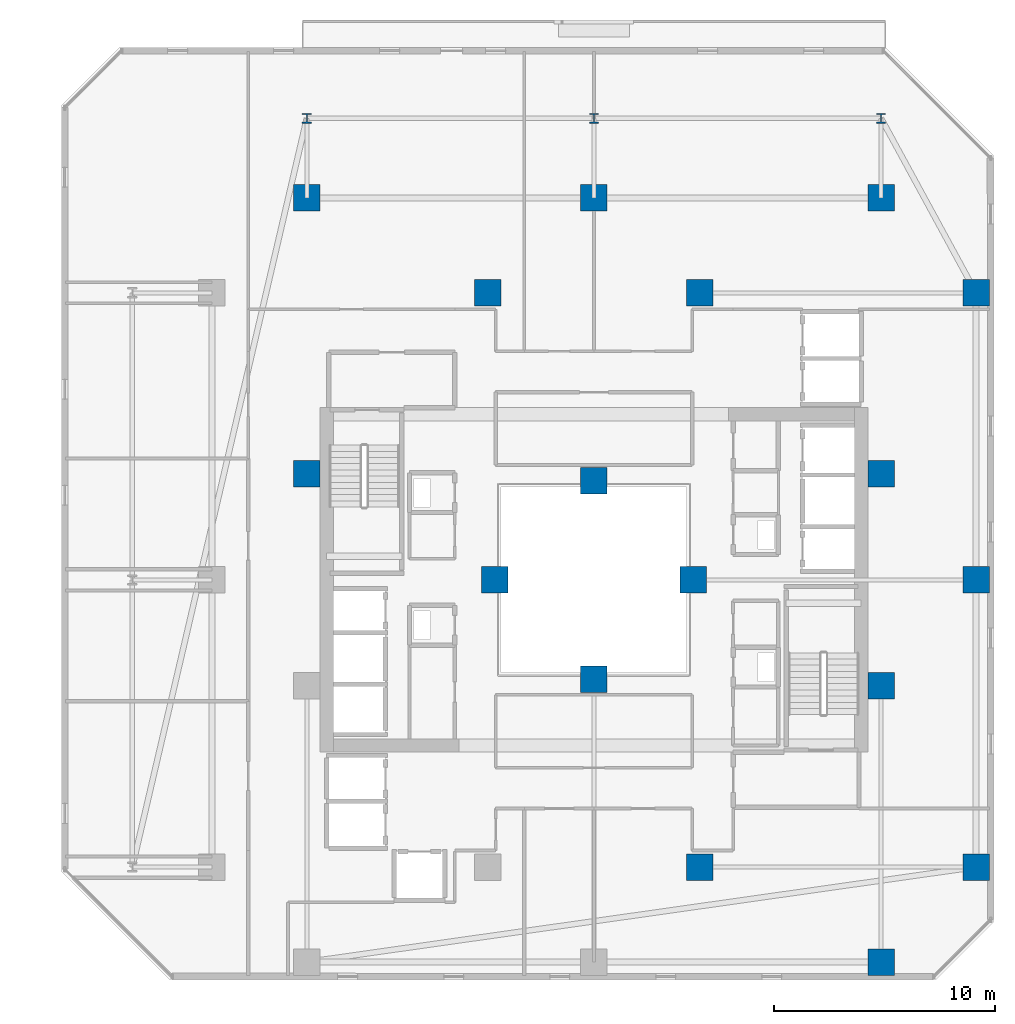
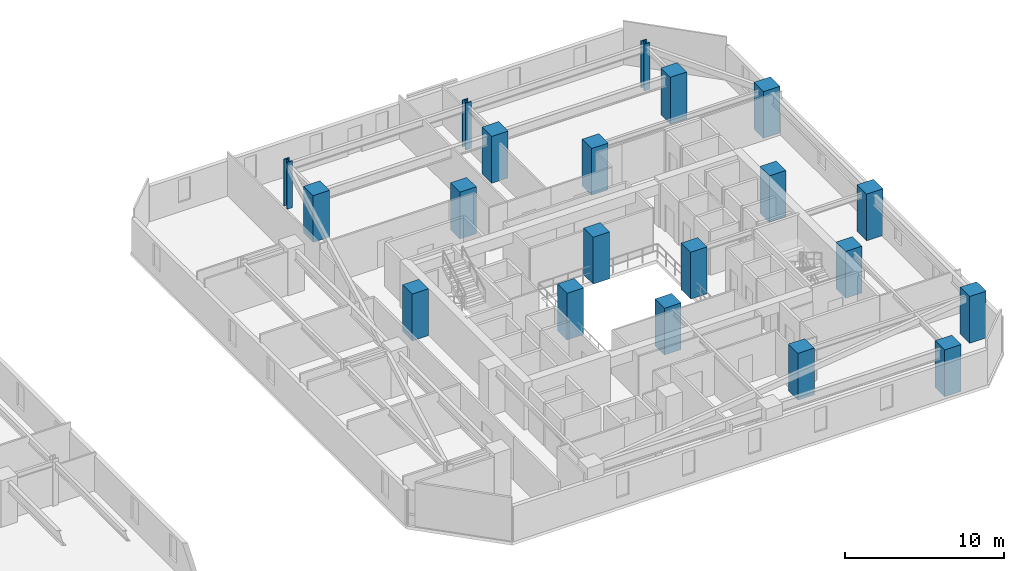
# One storey, part 2 of 31: 20 columns.
"""IFC4 building model written with IfcOpenShell, lengths in metres."""

from ifc_helpers import new_model, si_unit, direction, frame, origin, origin_2d, place, context, subcontext, project, spatial, rectangle, i_section, extrude, material, material_profile, profile_set, type_object, element, save


model = new_model("IFC4")

# Units and contexts
model_context = context("Model", 3, precision=1e-05, world=origin(), true_north=direction((0.0, 1.0)))
body_context = subcontext(model_context, "Body", "Model", "MODEL_VIEW")
ifc_project = project(units=[si_unit("LENGTHUNIT", "METRE"), si_unit("AREAUNIT", "SQUARE_METRE"), si_unit("VOLUMEUNIT", "CUBIC_METRE"), si_unit("PLANEANGLEUNIT", "RADIAN"), si_unit("MASSUNIT", "GRAM", prefix="KILO")], contexts=[model_context])

# Site, building, storey
site_placement = place(None, origin())
site = spatial("IfcSite", under=ifc_project, at=site_placement, CompositionType="ELEMENT")
building_placement = place(site_placement, origin())
building = spatial("IfcBuilding", under=site, at=building_placement, Name="Thornwick Lancets Civic Towers", CompositionType="ELEMENT")
storey_placement = place(building_placement, frame((0.0, 0.0, 90.89990234375)))
storey = spatial("IfcBuildingStorey", under=building, at=storey_placement, Name="L23", CompositionType="ELEMENT", Elevation=90.89990234375)

# Columns
ifc_material_1 = material(Name="Concrete C60/75", Category="concrete")
ifc_material_profile_1 = material_profile(ifc_material_1, rectangle(XDim=1.199951171875, YDim=1.199951171875, at=origin_2d()), Name="RC 1200x1200")
ifc_profile_set_1 = profile_set([ifc_material_profile_1], Name="Concrete C60/75")
column_type_1 = type_object("IfcColumnType", Name="COL_RC_1200", PredefinedType="COLUMN", material=ifc_profile_set_1)
for number, where, z_axis, x_axis, name in (
    (1, (105.800048828125, 14.0, 0.0), (0.0, 0.0, 1.0), (1.0, 0.0, 0.0), "L23 Spine Mega-Column B01"),
    (2, (105.800048828125, 27.0, 0.0), (0.0, 0.0, 1.0), (1.0, 0.0, 0.0), "L23 Spine Mega-Column B02"),
    (3, (105.800048828125, 40.0, 0.0), (0.0, 0.0, 1.0), (1.0, 0.0, 0.0), "L23 Spine Mega-Column B03"),
    (4, (101.5, 44.300048828125, 0.0), (0.0, 0.0, 1.0), (1.0, 0.0, 0.0), "L23 Spine Mega-Column B04"),
    (5, (88.5, 44.300048828125, 0.0), (0.0, 0.0, 1.0), (1.0, 0.0, 0.0), "L23 Spine Mega-Column B05"),
    (6, (75.5, 44.300048828125, 0.0), (0.0, 0.0, 1.0), (1.0, 0.0, 0.0), "L23 Spine Mega-Column B06"),
    (7, (101.5, 9.699951171875, 0.0), (0.0, 0.0, 1.0), (1.0, 0.0, 0.0), "L23 Spine Mega-Column B10"),
    (8, (93.300048828125, 14.0, 0.0), (0.0, 0.0, 1.0), (1.0, 0.0, 0.0), "L23 Spine Mega-Column B13"),
    (9, (93.300048828125, 40.0, 0.0), (0.0, 0.0, 1.0), (1.0, 0.0, 0.0), "L23 Spine Mega-Column B14"),
    (10, (83.699951171875, 40.0, 0.0), (0.0, 0.0, 1.0), (1.0, 0.0, 0.0), "L23 Spine Mega-Column B16"),
    (11, (101.5, 22.199951171875, 0.0), (0.0, 0.0, 1.0), (1.0, 0.0, 0.0), "L23 Spine Mega-Column B17"),
    (12, (101.5, 31.800048828125, 0.0), (0.0, 0.0, 1.0), (1.0, 0.0, 0.0), "L23 Spine Mega-Column B18"),
    (13, (75.5, 31.800048828125, 0.0), (0.0, 0.0, 1.0), (1.0, 0.0, 0.0), "L23 Spine Mega-Column B20"),
    (14, (93.0, 27.0, 0.0), (0.0, 0.0, 1.0), (1.0, 0.0, 0.0), "L23 Spine Mega-Column B21"),
    (15, (84.0, 27.0, 0.0), (0.0, 0.0, 1.0), (1.0, 0.0, 0.0), "L23 Spine Mega-Column B22"),
    (16, (88.5, 22.5, 0.0), (0.0, 0.0, 1.0), (1.0, 0.0, 0.0), "L23 Spine Mega-Column B23"),
    (17, (88.5, 31.5, 0.0), (0.0, 0.0, 1.0), (1.0, 0.0, 0.0), "L23 Spine Mega-Column B24"),
):
    element("IfcColumn", number, at=place(storey_placement, frame(where, z_axis=z_axis, x_axis=x_axis)), inside=storey, type_object=column_type_1, Name=name, PredefinedType="COLUMN", context=body_context, shape_type="SweptSolid", body=[
        extrude(rectangle(XDim=1.199951171875, YDim=1.199951171875, at=origin_2d()), origin(), (0.0, 0.0, 1.0), 3.60009765625),
    ])
ifc_material_2 = material(Name="Steel S460M", Category="steel")
ifc_material_profile_2 = material_profile(ifc_material_2, i_section(OverallWidth=0.41845703125, OverallDepth=0.45556640625, WebThickness=0.0419921875, FlangeThickness=0.0673828125, FilletRadius=0.01513671875, at=origin_2d()), Name="UKC 356x406x551")
ifc_profile_set_2 = profile_set([ifc_material_profile_2], Name="Steel S460M")
column_type_2 = type_object("IfcColumnType", Name="COL_UKC_551", PredefinedType="COLUMN", material=ifc_profile_set_2)
for number, where, z_axis, x_axis, name in (
    (18, (101.5, 47.89990234375, 0.0), (0.0, 0.0, 1.0), (1.0, 0.0, 0.0), "L23 Block Perimeter Column B04"),
    (19, (88.5, 47.89990234375, 0.0), (0.0, 0.0, 1.0), (1.0, 0.0, 0.0), "L23 Block Perimeter Column B05"),
    (20, (75.5, 47.89990234375, 0.0), (0.0, 0.0, 1.0), (1.0, 0.0, 0.0), "L23 Block Perimeter Column B06"),
):
    element("IfcColumn", number, at=place(storey_placement, frame(where, z_axis=z_axis, x_axis=x_axis)), inside=storey, type_object=column_type_2, Name=name, PredefinedType="COLUMN", context=body_context, shape_type="SweptSolid", body=[
        extrude(i_section(OverallWidth=0.41845703125, OverallDepth=0.45556640625, WebThickness=0.0419921875, FlangeThickness=0.0673828125, FilletRadius=0.01513671875, at=origin_2d()), origin(), (0.0, 0.0, 1.0), 3.60009765625),
    ])

save(model, "model.ifc")
